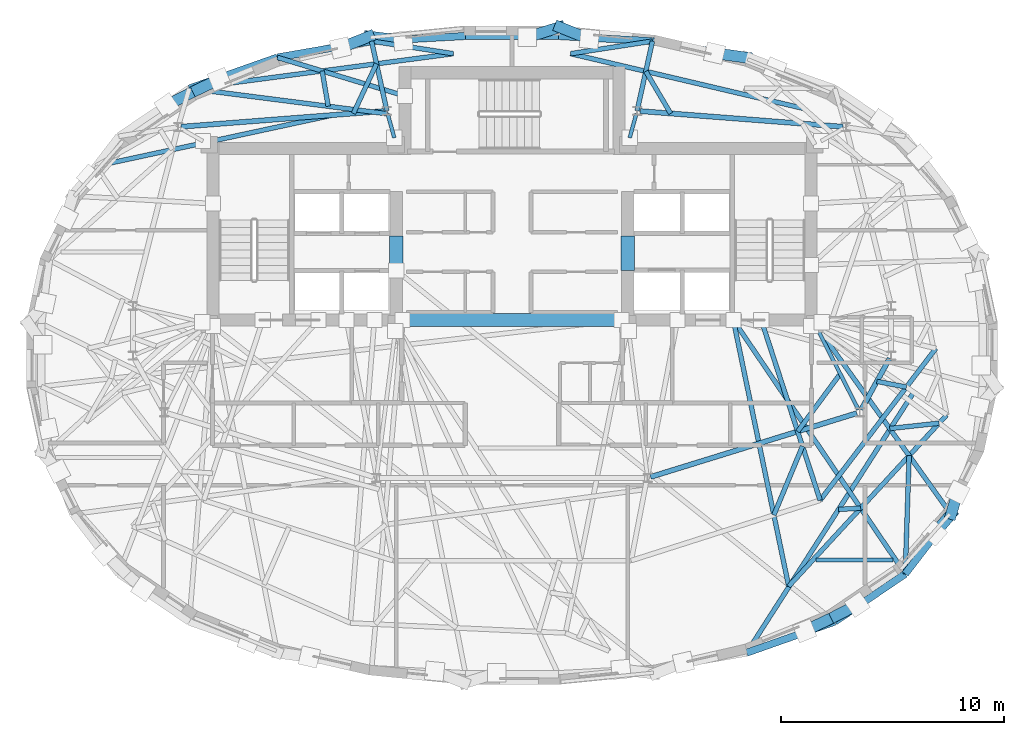
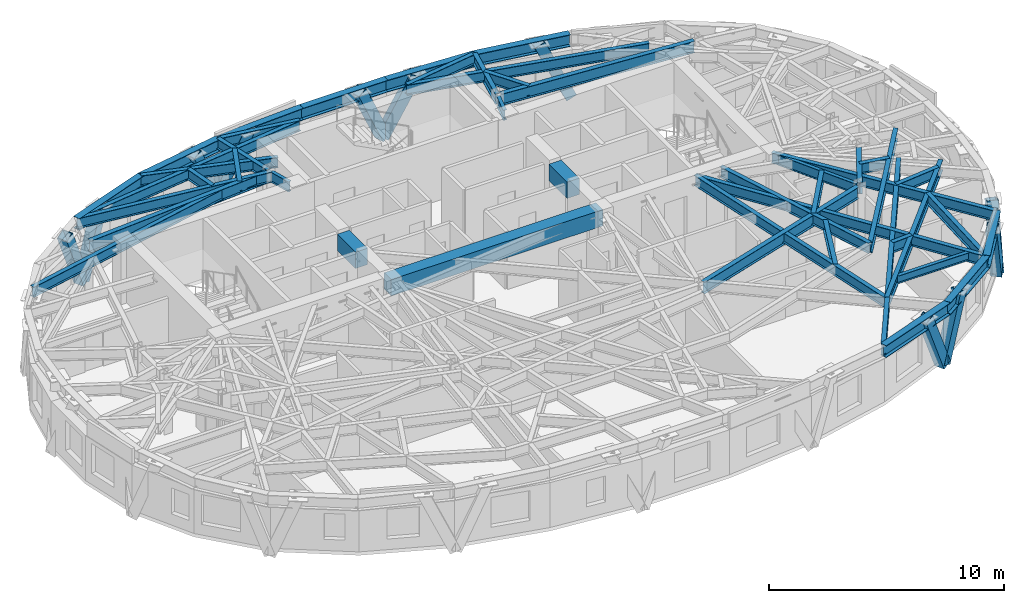
# One storey, part 3 of 13: 45 beams, 11 members.
"""IFC4 building model written with IfcOpenShell, lengths in metres."""

from ifc_helpers import new_model, si_unit, direction, frame, origin, origin_2d, place, context, subcontext, project, spatial, rectangle, hollow_rectangle, i_section, extrude, material, material_profile, profile_set, type_object, element, save


model = new_model("IFC4")

# Units and contexts
model_context = context("Model", 3, precision=1e-05, world=origin(), true_north=direction((0.0, 1.0)))
body_context = subcontext(model_context, "Body", "Model", "MODEL_VIEW")
ifc_project = project(units=[si_unit("LENGTHUNIT", "METRE"), si_unit("AREAUNIT", "SQUARE_METRE"), si_unit("VOLUMEUNIT", "CUBIC_METRE"), si_unit("PLANEANGLEUNIT", "RADIAN"), si_unit("MASSUNIT", "GRAM", prefix="KILO")], contexts=[model_context])

# Site, building, storey
site_placement = place(None, origin())
site = spatial("IfcSite", under=ifc_project, at=site_placement, CompositionType="ELEMENT")
building_placement = place(site_placement, origin())
building = spatial("IfcBuilding", under=site, at=building_placement, Name="Keldmark Tower", CompositionType="ELEMENT")
storey_placement = place(building_placement, frame((0.0, 0.0, 244.64990234375)))
storey = spatial("IfcBuildingStorey", under=building, at=storey_placement, Name="L69", CompositionType="ELEMENT", Elevation=244.64990234375)

# Beams
ifc_material_1 = material(Name="Steel ASTM A992 Grade 50", Category="steel")
ifc_material_profile_1 = material_profile(ifc_material_1, i_section(OverallWidth=0.177978515625, OverallDepth=0.403076171875, WebThickness=0.007568359375, FlangeThickness=0.010986328125, at=origin_2d()), Name="W16X36")
ifc_profile_set_1 = profile_set([ifc_material_profile_1], Name="Steel ASTM A992 Grade 50")
beam_type_1 = type_object("IfcBeamType", Name="Composite Floor Joist W16X36", PredefinedType="JOIST", material=ifc_profile_set_1)
beam_1_placement = place(storey_placement, frame((13.646728515625, -9.199951171875, 2.7685546875), z_axis=(1.0, 0.0, 0.0), x_axis=(0.0, 1.0, 0.0)))
element("IfcBeam", 1, at=beam_1_placement, inside=storey, type_object=beam_type_1, Name="L69 Composite Floor Joist J01", PredefinedType="JOIST", context=body_context, shape_type="SweptSolid", body=[
    extrude(i_section(OverallWidth=0.177978515625, OverallDepth=0.403076171875, WebThickness=0.007568359375, FlangeThickness=0.010986328125, at=origin_2d()), origin(), (0.0, 0.0, 1.0), 3.470703125),
])
ifc_material_2 = material(Name="Concrete C50/60", Category="concrete")
ifc_material_profile_2 = material_profile(ifc_material_2, rectangle(XDim=0.60009765625, YDim=0.85009765625, at=origin_2d()), Name="RCB600X850")
ifc_profile_set_2 = profile_set([ifc_material_profile_2], Name="Concrete C50/60")
beam_type_2 = type_object("IfcBeamType", Name="Core Coupling Beam RCB600X850", PredefinedType="USERDEFINED", material=ifc_profile_set_2)
for number, where, z_axis, x_axis, name in (
    (2, (-5.199951171875, 3.800048828125, 2.545166015625), (0.0, 1.0, 0.0), (-1.0, 0.0, 0.0), "L69 West Core Coupling Beam"),
    (3, (5.199951171875, 3.800048828125, 2.545166015625), (0.0, 1.0, 0.0), (-1.0, 0.0, 0.0), "L69 East Core Coupling Beam"),
):
    element("IfcBeam", number, at=place(storey_placement, frame(where, z_axis=z_axis, x_axis=x_axis)), inside=storey, type_object=beam_type_2, Name=name, ObjectType="COUPLING BEAM", PredefinedType="USERDEFINED", context=body_context, shape_type="SweptSolid", body=[
        extrude(rectangle(XDim=0.60009765625, YDim=0.85009765625, at=origin_2d()), origin(), (0.0, 0.0, 1.0), 1.550048828125),
    ])
beam_2_placement = place(storey_placement, frame((-5.199951171875, 1.574951171875, 2.545166015625), z_axis=(1.0, 0.0, 0.0), x_axis=(0.0, 1.0, 0.0)))
element("IfcBeam", 4, at=beam_2_placement, inside=storey, type_object=beam_type_2, Name="L69 Central South Core Coupling Beam", ObjectType="COUPLING BEAM", PredefinedType="USERDEFINED", context=body_context, shape_type="SweptSolid", body=[
    extrude(rectangle(XDim=0.60009765625, YDim=0.85009765625, at=origin_2d()), origin(), (0.0, 0.0, 1.0), 10.39990234375),
])

# Members
ifc_material_3 = material(Name="Steel ASTM A572 Grade 50", Category="steel")
ifc_material_profile_3 = material_profile(ifc_material_3, hollow_rectangle(XDim=0.5, YDim=0.5, WallThickness=0.030029296875, at=origin_2d()), Name="BOX500X500X30")
ifc_profile_set_3 = profile_set([ifc_material_profile_3], Name="Steel ASTM A572 Grade 50")
member_type = type_object("IfcMemberType", Name="Diagrid Upper Brace BOX500X500X30", PredefinedType="BRACE", material=ifc_profile_set_3)
member_1_placement = place(storey_placement, frame((10.54150390625, 13.356201171875, -0.260009765625), z_axis=(-0.42006443805, 0.058577271442, 0.905601772942), x_axis=(-0.138111914425, -0.990416629048, 0.0)))
element("IfcMember", 5, at=member_1_placement, inside=storey, type_object=member_type, Name="L69 Perimeter Diagrid Brace 03B", PredefinedType="BRACE", context=body_context, shape_type="SweptSolid", body=[
    extrude(hollow_rectangle(XDim=0.5, YDim=0.5, WallThickness=0.030029296875, at=origin_2d()), origin(), (0.0, 0.0, 1.0), 3.434326171875),
])
member_2_placement = place(storey_placement, frame((2.130615234375, 14.7314453125, -0.260009765625), z_axis=(0.391321444426, -0.15640043904, 0.906866268973), x_axis=(0.371128536334, 0.928581503972, 0.0)))
element("IfcMember", 6, at=member_2_placement, inside=storey, type_object=member_type, Name="L69 Perimeter Diagrid Brace 04A", PredefinedType="BRACE", context=body_context, shape_type="SweptSolid", body=[
    extrude(hollow_rectangle(XDim=0.5, YDim=0.5, WallThickness=0.030029296875, at=origin_2d()), origin(), (0.0, 0.0, 1.0), 3.429443359375),
])
member_3_placement = place(storey_placement, frame((2.14208984375, 14.72900390625, -0.260009765625), z_axis=(-0.419804559651, -0.132440021421, 0.897899644962), x_axis=(0.300863147023, -0.953667324995, 0.0)))
element("IfcMember", 7, at=member_3_placement, inside=storey, type_object=member_type, Name="L69 Perimeter Diagrid Brace 04B", PredefinedType="BRACE", context=body_context, shape_type="SweptSolid", body=[
    extrude(hollow_rectangle(XDim=0.5, YDim=0.5, WallThickness=0.030029296875, at=origin_2d()), origin(), (0.0, 0.0, 1.0), 3.4638671875),
])
member_4_placement = place(storey_placement, frame((-6.42041015625, 14.305419921875, -0.260009765625), z_axis=(0.440255197099, -0.054803259594, 0.896198618703), x_axis=(0.123527289199, 0.992341175616, 0.0)))
element("IfcMember", 8, at=member_4_placement, inside=storey, type_object=member_type, Name="L69 Perimeter Diagrid Brace 05A", PredefinedType="BRACE", context=body_context, shape_type="SweptSolid", body=[
    extrude(hollow_rectangle(XDim=0.5, YDim=0.5, WallThickness=0.030029296875, at=origin_2d()), origin(), (0.0, 0.0, 1.0), 3.47021484375),
])
member_5_placement = place(storey_placement, frame((-6.40869140625, 14.3076171875, -0.260009765625), z_axis=(-0.379041415839, -0.150096960054, 0.913125680102), x_axis=(0.368175119927, -0.92975646331, 0.0)))
element("IfcMember", 9, at=member_5_placement, inside=storey, type_object=member_type, Name="L69 Perimeter Diagrid Brace 05B", PredefinedType="BRACE", context=body_context, shape_type="SweptSolid", body=[
    extrude(hollow_rectangle(XDim=0.5, YDim=0.5, WallThickness=0.030029296875, at=origin_2d()), origin(), (0.0, 0.0, 1.0), 3.406005859375),
])
member_6_placement = place(storey_placement, frame((-14.337646484375, 11.817138671875, -0.260009765625), z_axis=(0.35296176253, 0.167918758674, 0.920446242144), x_axis=(-0.429603477502, 0.90301763666, 0.0)))
element("IfcMember", 10, at=member_6_placement, inside=storey, type_object=member_type, Name="L69 Perimeter Diagrid Brace 06A", PredefinedType="BRACE", context=body_context, shape_type="SweptSolid", body=[
    extrude(hollow_rectangle(XDim=0.5, YDim=0.5, WallThickness=0.030029296875, at=origin_2d()), origin(), (0.0, 0.0, 1.0), 3.37890625),
])
member_7_placement = place(storey_placement, frame((-14.327880859375, 11.823486328125, -0.260009765625), z_axis=(-0.349163063981, -0.181149088589, 0.919385752802), x_axis=(0.460520660144, -0.887648985568, 0.0)))
element("IfcMember", 11, at=member_7_placement, inside=storey, type_object=member_type, Name="L69 Perimeter Diagrid Brace 06B", PredefinedType="BRACE", context=body_context, shape_type="SweptSolid", body=[
    extrude(hollow_rectangle(XDim=0.5, YDim=0.5, WallThickness=0.030029296875, at=origin_2d()), origin(), (0.0, 0.0, 1.0), 3.3828125),
])
member_8_placement = place(storey_placement, frame((14.337646484375, -11.817138671875, -0.260009765625), z_axis=(-0.35296176253, -0.167918758674, 0.920446242144), x_axis=(0.429603477502, -0.90301763666, 0.0)))
element("IfcMember", 12, at=member_8_placement, inside=storey, type_object=member_type, Name="L69 Perimeter Diagrid Brace 14A", PredefinedType="BRACE", context=body_context, shape_type="SweptSolid", body=[
    extrude(hollow_rectangle(XDim=0.5, YDim=0.5, WallThickness=0.030029296875, at=origin_2d()), origin(), (0.0, 0.0, 1.0), 3.37890625),
])
member_9_placement = place(storey_placement, frame((14.327880859375, -11.823486328125, -0.260009765625), z_axis=(0.349163063981, 0.181149088589, 0.919385752802), x_axis=(-0.460520660144, 0.887648985568, 0.0)))
element("IfcMember", 13, at=member_9_placement, inside=storey, type_object=member_type, Name="L69 Perimeter Diagrid Brace 14B", PredefinedType="BRACE", context=body_context, shape_type="SweptSolid", body=[
    extrude(hollow_rectangle(XDim=0.5, YDim=0.5, WallThickness=0.030029296875, at=origin_2d()), origin(), (0.0, 0.0, 1.0), 3.3828125),
])
member_10_placement = place(storey_placement, frame((19.728271484375, -7.129150390625, -0.260009765625), z_axis=(-0.225146112073, -0.262780938135, 0.938219274355), x_axis=(0.759391798182, -0.650633611839, 0.0)))
element("IfcMember", 14, at=member_10_placement, inside=storey, type_object=member_type, Name="L69 Perimeter Diagrid Brace 15A", PredefinedType="BRACE", context=body_context, shape_type="SweptSolid", body=[
    extrude(hollow_rectangle(XDim=0.5, YDim=0.5, WallThickness=0.030029296875, at=origin_2d()), origin(), (0.0, 0.0, 1.0), 3.31494140625),
])
member_11_placement = place(storey_placement, frame((19.7216796875, -7.138916015625, -0.260009765625), z_axis=(0.091121113924, 0.298939890116, 0.949911514139), x_axis=(-0.956549539404, 0.291569852121, 0.0)))
element("IfcMember", 15, at=member_11_placement, inside=storey, type_object=member_type, Name="L69 Perimeter Diagrid Brace 15B", PredefinedType="BRACE", context=body_context, shape_type="SweptSolid", body=[
    extrude(hollow_rectangle(XDim=0.5, YDim=0.5, WallThickness=0.030029296875, at=origin_2d()), origin(), (0.0, 0.0, 1.0), 3.274169921875),
])

# Beams
ifc_material_4 = material(Name="Steel ASTM A992 Grade 50", Category="steel")
ifc_material_profile_4 = material_profile(ifc_material_4, i_section(OverallWidth=0.22802734375, OverallDepth=0.60302734375, WebThickness=0.010498046875, FlangeThickness=0.014892578125, at=origin_2d()), Name="W24X68")
ifc_profile_set_4 = profile_set([ifc_material_profile_4], Name="Steel ASTM A992 Grade 50")
beam_type_3 = type_object("IfcBeamType", Name="Primary Floor Girder W24X68", PredefinedType="BEAM", material=ifc_profile_set_4)
for number, where, z_axis, x_axis, name in (
    (16, (14.856201171875, 10.25439453125, 2.668701171875), (-0.997037147832, 0.076921556421, 0.0), (-0.076921556421, -0.997037147832, 0.0), "L69 Floor Ring Girder FG-R02"),
    (17, (-5.75830078125, 10.956298828125, 2.668701171875), (-0.997037147832, -0.076921556421, 0.0), (0.076921556421, -0.997037147832, 0.0), "L69 Floor Ring Girder FG-R04"),
):
    element("IfcBeam", number, at=place(storey_placement, frame(where, z_axis=z_axis, x_axis=x_axis)), inside=storey, type_object=beam_type_3, Name=name, PredefinedType="BEAM", context=body_context, shape_type="SweptSolid", body=[
        extrude(i_section(OverallWidth=0.22802734375, OverallDepth=0.60302734375, WebThickness=0.010498046875, FlangeThickness=0.014892578125, at=origin_2d()), origin(), (0.0, 0.0, 1.0), 9.125),
    ])
beam_3_placement = place(storey_placement, frame((6.223388671875, -5.471435546875, 2.668701171875), z_axis=(0.955383255089, 0.295368982622, 0.0), x_axis=(-0.295368982622, 0.955383255089, 0.0)))
element("IfcBeam", 18, at=beam_3_placement, inside=storey, type_object=beam_type_3, Name="L69 Floor Ring Girder FG-R10", PredefinedType="BEAM", context=body_context, shape_type="SweptSolid", body=[
    extrude(i_section(OverallWidth=0.22802734375, OverallDepth=0.60302734375, WebThickness=0.010498046875, FlangeThickness=0.014892578125, at=origin_2d()), origin(), (0.0, 0.0, 1.0), 9.69140625),
])
beam_4_placement = place(storey_placement, frame((15.68408203125, -2.44482421875, 2.668701171875), z_axis=(0.484719680408, 0.874669555561, 0.0), x_axis=(-0.874669555561, 0.484719680408, 0.0)))
element("IfcBeam", 19, at=beam_4_placement, inside=storey, type_object=beam_type_3, Name="L69 Floor Ring Girder FG-R11", PredefinedType="BEAM", context=body_context, shape_type="SweptSolid", body=[
    extrude(i_section(OverallWidth=0.22802734375, OverallDepth=0.60302734375, WebThickness=0.010498046875, FlangeThickness=0.014892578125, at=origin_2d()), origin(), (0.0, 0.0, 1.0), 2.627685546875),
])
ifc_material_5 = material(Name="Steel ASTM A992 Grade 50", Category="steel")
ifc_material_profile_5 = material_profile(ifc_material_5, i_section(OverallWidth=0.166015625, OverallDepth=0.529052734375, WebThickness=0.009765625, FlangeThickness=0.013671875, at=origin_2d()), Name="W21X50")
ifc_profile_set_5 = profile_set([ifc_material_profile_5], Name="Steel ASTM A992 Grade 50")
beam_type_4 = type_object("IfcBeamType", Name="Radial Tie Girder W21X50", PredefinedType="BEAM", material=ifc_profile_set_5)
for number, where, z_axis, x_axis, name in (
    (20, (5.581298828125, 10.83203125, 2.70556640625), (-0.265936023434, -0.963990680163, 0.0), (0.963990680163, -0.265936023434, 0.0), "L69 Floor Radial Girder FG-C03"),
    (21, (-5.581298828125, 10.83203125, 2.70556640625), (0.265936023434, -0.963990680163, 0.0), (0.963990680163, 0.265936023434, 0.0), "L69 Floor Radial Girder FG-C04"),
):
    element("IfcBeam", number, at=place(storey_placement, frame(where, z_axis=z_axis, x_axis=x_axis)), inside=storey, type_object=beam_type_4, Name=name, PredefinedType="BEAM", context=body_context, shape_type="SweptSolid", body=[
        extrude(i_section(OverallWidth=0.166015625, OverallDepth=0.529052734375, WebThickness=0.009765625, FlangeThickness=0.013671875, at=origin_2d()), origin(), (0.0, 0.0, 1.0), 1.113525390625),
    ])
beam_5_placement = place(storey_placement, frame((15.552734375, -2.442626953125, 2.70556640625), z_axis=(-0.453004410574, 0.89150827478, 0.0), x_axis=(-0.89150827478, -0.453004410574, 0.0)))
element("IfcBeam", 22, at=beam_5_placement, inside=storey, type_object=beam_type_4, Name="L69 Floor Radial Girder FG-C11", PredefinedType="BEAM", context=body_context, shape_type="SweptSolid", body=[
    extrude(i_section(OverallWidth=0.166015625, OverallDepth=0.529052734375, WebThickness=0.009765625, FlangeThickness=0.013671875, at=origin_2d()), origin(), (0.0, 0.0, 1.0), 3.990234375),
])
ifc_material_6 = material(Name="Steel ASTM A992 Grade 50", Category="steel")
ifc_material_profile_6 = material_profile(ifc_material_6, i_section(OverallWidth=0.2099609375, OverallDepth=0.537109375, WebThickness=0.010986328125, FlangeThickness=0.017333984375, at=origin_2d()), Name="W21X68")
ifc_profile_set_6 = profile_set([ifc_material_profile_6], Name="Steel ASTM A992 Grade 50")
beam_type_5 = type_object("IfcBeamType", Name="Radial Tie Girder W21X68", PredefinedType="BEAM", material=ifc_profile_set_6)
beam_6_placement = place(storey_placement, frame((14.7392578125, -0.841796875, 2.70166015625), z_axis=(-0.594045294701, -0.804431593017, 0.0), x_axis=(0.804431593017, -0.594045294701, 0.0)))
element("IfcBeam", 23, at=beam_6_placement, inside=storey, type_object=beam_type_5, Name="L69 Framing Pin Header PH-005", PredefinedType="BEAM", context=body_context, shape_type="SweptSolid", body=[
    extrude(i_section(OverallWidth=0.2099609375, OverallDepth=0.537109375, WebThickness=0.010986328125, FlangeThickness=0.017333984375, at=origin_2d()), origin(), (0.0, 0.0, 1.0), 3.216796875),
])
beam_7_placement = place(storey_placement, frame((11.19287109375, 1.574951171875, 2.70166015625), z_axis=(0.310622790125, -0.950533262046, 0.0), x_axis=(0.950533262046, 0.310622790125, 0.0)))
element("IfcBeam", 24, at=beam_7_placement, inside=storey, type_object=beam_type_5, Name="L69 Sub-Ring Step Girder STP1-M11", PredefinedType="BEAM", context=body_context, shape_type="SweptSolid", body=[
    extrude(i_section(OverallWidth=0.2099609375, OverallDepth=0.537109375, WebThickness=0.010986328125, FlangeThickness=0.017333984375, at=origin_2d()), origin(), (0.0, 0.0, 1.0), 8.51513671875),
])
beam_8_placement = place(storey_placement, frame((13.837890625, -6.51904296875, 2.70166015625), z_axis=(0.606133300073, 0.795363075924, 0.0), x_axis=(-0.795363075924, 0.606133300073, 0.0)))
element("IfcBeam", 25, at=beam_8_placement, inside=storey, type_object=beam_type_5, Name="L69 Perimeter Collector Ring Beam CRG1-M11", PredefinedType="BEAM", context=body_context, shape_type="SweptSolid", body=[
    extrude(i_section(OverallWidth=0.2099609375, OverallDepth=0.537109375, WebThickness=0.010986328125, FlangeThickness=0.017333984375, at=origin_2d()), origin(), (0.0, 0.0, 1.0), 8.5732421875),
])
beam_9_placement = place(storey_placement, frame((13.04443359375, -4.0908203125, 2.70166015625), z_axis=(-0.383729755132, -0.923445436951, 0.0), x_axis=(0.923445436951, -0.383729755132, 0.0)))
element("IfcBeam", 26, at=beam_9_placement, inside=storey, type_object=beam_type_5, Name="L69 Framing Pin Header PH-011", PredefinedType="BEAM", context=body_context, shape_type="SweptSolid", body=[
    extrude(i_section(OverallWidth=0.2099609375, OverallDepth=0.537109375, WebThickness=0.010986328125, FlangeThickness=0.017333984375, at=origin_2d()), origin(), (0.0, 0.0, 1.0), 3.347900390625),
])
beam_10_placement = place(storey_placement, frame((9.939208984375, 1.574951171875, 2.70166015625), z_axis=(0.203534312303, -0.979067813645, 0.0), x_axis=(0.979067813645, 0.203534312303, 0.0)))
element("IfcBeam", 27, at=beam_10_placement, inside=storey, type_object=beam_type_5, Name="L69 Sub-Ring Step Girder STP2-M11", PredefinedType="BEAM", context=body_context, shape_type="SweptSolid", body=[
    extrude(i_section(OverallWidth=0.2099609375, OverallDepth=0.537109375, WebThickness=0.010986328125, FlangeThickness=0.017333984375, at=origin_2d()), origin(), (0.0, 0.0, 1.0), 12.212158203125),
])
beam_11_placement = place(storey_placement, frame((16.384521484375, -1.180908203125, 2.70166015625), z_axis=(0.981899295891, -0.189403729448, 0.0), x_axis=(0.189403729448, 0.981899295891, 0.0)))
element("IfcBeam", 28, at=beam_11_placement, inside=storey, type_object=beam_type_5, Name="L69 Framing Pin Header PH-012", PredefinedType="BEAM", context=body_context, shape_type="SweptSolid", body=[
    extrude(i_section(OverallWidth=0.2099609375, OverallDepth=0.537109375, WebThickness=0.010986328125, FlangeThickness=0.017333984375, at=origin_2d()), origin(), (0.0, 0.0, 1.0), 1.350830078125),
])
beam_12_placement = place(storey_placement, frame((12.4248046875, -10.381591796875, 2.70166015625), z_axis=(0.677923561603, 0.735132399384, 0.0), x_axis=(-0.735132399384, 0.677923561603, 0.0)))
element("IfcBeam", 29, at=beam_12_placement, inside=storey, type_object=beam_type_5, Name="L69 Perimeter Collector Ring Beam CRG2-M11", PredefinedType="BEAM", context=body_context, shape_type="SweptSolid", body=[
    extrude(i_section(OverallWidth=0.2099609375, OverallDepth=0.537109375, WebThickness=0.010986328125, FlangeThickness=0.017333984375, at=origin_2d()), origin(), (0.0, 0.0, 1.0), 10.46826171875),
])
for number, where, z_axis, x_axis, name in (
    (30, (5.61865234375, 10.967041015625, 2.70166015625), (0.214728095069, 0.976673868386, 0.0), (-0.976673868386, 0.214728095069, 0.0), "L69 Perimeter Column Bracket RT-07"),
    (31, (-5.61865234375, 10.967041015625, 2.70166015625), (-0.214728095069, 0.976673868386, 0.0), (-0.976673868386, -0.214728095069, 0.0), "L69 Perimeter Column Bracket RT-10"),
):
    element("IfcBeam", number, at=place(storey_placement, frame(where, z_axis=z_axis, x_axis=x_axis)), inside=storey, type_object=beam_type_5, Name=name, PredefinedType="BEAM", context=body_context, shape_type="SweptSolid", body=[
        extrude(i_section(OverallWidth=0.2099609375, OverallDepth=0.537109375, WebThickness=0.010986328125, FlangeThickness=0.017333984375, at=origin_2d()), origin(), (0.0, 0.0, 1.0), 3.205078125),
    ])
beam_13_placement = place(storey_placement, frame((-8.03271484375, 10.781005859375, 2.70166015625), z_axis=(-0.977560138074, -0.210656536686, 0.0), x_axis=(0.210656536686, -0.977560138074, 0.0)))
element("IfcBeam", 32, at=beam_13_placement, inside=storey, type_object=beam_type_5, Name="L69 Intermediate Radial Step Girder RT-14M", PredefinedType="BEAM", context=body_context, shape_type="SweptSolid", body=[
    extrude(i_section(OverallWidth=0.2099609375, OverallDepth=0.537109375, WebThickness=0.010986328125, FlangeThickness=0.017333984375, at=origin_2d()), origin(), (0.0, 0.0, 1.0), 10.897705078125),
])
beam_14_placement = place(storey_placement, frame((18.041015625, -1.66455078125, 2.70166015625), z_axis=(-0.539795051401, -0.841796473313, 0.0), x_axis=(0.841796473313, -0.539795051401, 0.0)))
element("IfcBeam", 33, at=beam_14_placement, inside=storey, type_object=beam_type_5, Name="L69 Perimeter Radial Tie Girder RT-27", PredefinedType="BEAM", context=body_context, shape_type="SweptSolid", body=[
    extrude(i_section(OverallWidth=0.2099609375, OverallDepth=0.537109375, WebThickness=0.010986328125, FlangeThickness=0.017333984375, at=origin_2d()), origin(), (0.0, 0.0, 1.0), 13.9013671875),
])
beam_15_placement = place(storey_placement, frame((14.664306640625, -6.930419921875, 2.70166015625), z_axis=(0.998384064796, 0.056826570911, 0.0), x_axis=(-0.056826570911, 0.998384064796, 0.0)))
element("IfcBeam", 34, at=beam_15_placement, inside=storey, type_object=beam_type_5, Name="L69 Framing Pin Header PH-032", PredefinedType="BEAM", context=body_context, shape_type="SweptSolid", body=[
    extrude(i_section(OverallWidth=0.2099609375, OverallDepth=0.537109375, WebThickness=0.010986328125, FlangeThickness=0.017333984375, at=origin_2d()), origin(), (0.0, 0.0, 1.0), 0.996826171875),
])
beam_16_placement = place(storey_placement, frame((9.939208984375, 1.574951171875, 2.70166015625), z_axis=(0.560639931826, -0.828059700047, 0.0), x_axis=(0.828059700047, 0.560639931826, 0.0)))
element("IfcBeam", 35, at=beam_16_placement, inside=storey, type_object=beam_type_5, Name="L69 Perimeter Radial Tie Girder RT-29", PredefinedType="BEAM", context=body_context, shape_type="SweptSolid", body=[
    extrude(i_section(OverallWidth=0.2099609375, OverallDepth=0.537109375, WebThickness=0.010986328125, FlangeThickness=0.017333984375, at=origin_2d()), origin(), (0.0, 0.0, 1.0), 13.76806640625),
])
beam_17_placement = place(storey_placement, frame((17.658203125, -9.825927734375, 2.70166015625), z_axis=(0.032952159787, 0.99945693012, 0.0), x_axis=(-0.99945693012, 0.032952159787, 0.0)))
element("IfcBeam", 36, at=beam_17_placement, inside=storey, type_object=beam_type_5, Name="L69 Framing Pin Header PH-033", PredefinedType="BEAM", context=body_context, shape_type="SweptSolid", body=[
    extrude(i_section(OverallWidth=0.2099609375, OverallDepth=0.537109375, WebThickness=0.010986328125, FlangeThickness=0.017333984375, at=origin_2d()), origin(), (0.0, 0.0, 1.0), 5.312255859375),
])
beam_18_placement = place(storey_placement, frame((13.60009765625, 1.39990234375, 2.70166015625), z_axis=(0.581890855493, -0.813266888724, 0.0), x_axis=(0.813266888724, 0.581890855493, 0.0)))
element("IfcBeam", 37, at=beam_18_placement, inside=storey, type_object=beam_type_5, Name="L69 Perimeter Radial Tie Girder RT-30", PredefinedType="BEAM", context=body_context, shape_type="SweptSolid", body=[
    extrude(i_section(OverallWidth=0.2099609375, OverallDepth=0.537109375, WebThickness=0.010986328125, FlangeThickness=0.017333984375, at=origin_2d()), origin(), (0.0, 0.0, 1.0), 10.50634765625),
])
beam_19_placement = place(storey_placement, frame((16.96240234375, -3.299560546875, 2.70166015625), z_axis=(0.994041527953, 0.109002021561, 0.0), x_axis=(-0.109002021561, 0.994041527953, 0.0)))
element("IfcBeam", 38, at=beam_19_placement, inside=storey, type_object=beam_type_5, Name="L69 Framing Pin Header PH-034", PredefinedType="BEAM", context=body_context, shape_type="SweptSolid", body=[
    extrude(i_section(OverallWidth=0.2099609375, OverallDepth=0.537109375, WebThickness=0.010986328125, FlangeThickness=0.017333984375, at=origin_2d()), origin(), (0.0, 0.0, 1.0), 2.230712890625),
])
beam_20_placement = place(storey_placement, frame((7.122802734375, 10.85107421875, 2.70166015625), z_axis=(-0.507754252442, 0.861501955382, 0.0), x_axis=(-0.861501955382, -0.507754252442, 0.0)))
element("IfcBeam", 39, at=beam_20_placement, inside=storey, type_object=beam_type_5, Name="L69 Framing Pin Header PH-036", PredefinedType="BEAM", context=body_context, shape_type="SweptSolid", body=[
    extrude(i_section(OverallWidth=0.2099609375, OverallDepth=0.537109375, WebThickness=0.010986328125, FlangeThickness=0.017333984375, at=origin_2d()), origin(), (0.0, 0.0, 1.0), 2.194091796875),
])
beam_21_placement = place(storey_placement, frame((13.12060546875, 11.068603515625, 2.70166015625), z_axis=(-0.973437073601, 0.228954719846, 0.0), x_axis=(-0.228954719846, -0.973437073601, 0.0)))
element("IfcBeam", 40, at=beam_21_placement, inside=storey, type_object=beam_type_5, Name="L69 Crown Step Radial Girder RT-08RN2", PredefinedType="BEAM", context=body_context, shape_type="SweptSolid", body=[
    extrude(i_section(OverallWidth=0.2099609375, OverallDepth=0.537109375, WebThickness=0.010986328125, FlangeThickness=0.017333984375, at=origin_2d()), origin(), (0.0, 0.0, 1.0), 10.775146484375),
])
beam_22_placement = place(storey_placement, frame((2.631591796875, 13.53564453125, 2.70166015625), z_axis=(0.988519259968, 0.151094912793, 0.0), x_axis=(-0.151094912793, 0.988519259968, 0.0)))
element("IfcBeam", 41, at=beam_22_placement, inside=storey, type_object=beam_type_5, Name="L69 Crown Step Collector Chord RT-08RP2", PredefinedType="BEAM", context=body_context, shape_type="SweptSolid", body=[
    extrude(i_section(OverallWidth=0.2099609375, OverallDepth=0.537109375, WebThickness=0.010986328125, FlangeThickness=0.017333984375, at=origin_2d()), origin(), (0.0, 0.0, 1.0), 3.718017578125),
])
beam_23_placement = place(storey_placement, frame((-7.122802734375, 10.85107421875, 2.70166015625), z_axis=(0.422472517421, 0.906375734463, 0.0), x_axis=(-0.906375734463, 0.422472517421, 0.0)))
element("IfcBeam", 42, at=beam_23_placement, inside=storey, type_object=beam_type_5, Name="L69 Framing Pin Header PH-037", PredefinedType="BEAM", context=body_context, shape_type="SweptSolid", body=[
    extrude(i_section(OverallWidth=0.2099609375, OverallDepth=0.537109375, WebThickness=0.010986328125, FlangeThickness=0.017333984375, at=origin_2d()), origin(), (0.0, 0.0, 1.0), 2.4599609375),
])
beam_24_placement = place(storey_placement, frame((-14.49169921875, 11.972900390625, 2.70166015625), z_axis=(0.991430452739, 0.130635590028, 0.0), x_axis=(-0.130635590028, 0.991430452739, 0.0)))
element("IfcBeam", 43, at=beam_24_placement, inside=storey, type_object=beam_type_5, Name="L69 Crown Step Radial Girder RT-09RN1", PredefinedType="BEAM", context=body_context, shape_type="SweptSolid", body=[
    extrude(i_section(OverallWidth=0.2099609375, OverallDepth=0.537109375, WebThickness=0.010986328125, FlangeThickness=0.017333984375, at=origin_2d()), origin(), (0.0, 0.0, 1.0), 11.962646484375),
])
beam_25_placement = place(storey_placement, frame((-2.631591796875, 13.53564453125, 2.70166015625), z_axis=(-0.988519259968, 0.151094912793, 0.0), x_axis=(-0.151094912793, -0.988519259968, 0.0)))
element("IfcBeam", 44, at=beam_25_placement, inside=storey, type_object=beam_type_5, Name="L69 Crown Step Collector Chord RT-09RP1", PredefinedType="BEAM", context=body_context, shape_type="SweptSolid", body=[
    extrude(i_section(OverallWidth=0.2099609375, OverallDepth=0.537109375, WebThickness=0.010986328125, FlangeThickness=0.017333984375, at=origin_2d()), origin(), (0.0, 0.0, 1.0), 3.718017578125),
])
beam_26_placement = place(storey_placement, frame((-5.581298828125, 10.83203125, 2.70166015625), z_axis=(-0.991902570669, 0.127001142909, 0.0), x_axis=(-0.127001142909, -0.991902570669, 0.0)))
element("IfcBeam", 45, at=beam_26_placement, inside=storey, type_object=beam_type_5, Name="L69 Straddling Support Chord RT-11RB", PredefinedType="BEAM", context=body_context, shape_type="SweptSolid", body=[
    extrude(i_section(OverallWidth=0.2099609375, OverallDepth=0.537109375, WebThickness=0.010986328125, FlangeThickness=0.017333984375, at=origin_2d()), origin(), (0.0, 0.0, 1.0), 8.983154296875),
])
beam_27_placement = place(storey_placement, frame((-8.25439453125, 11.17431640625, 2.70166015625), z_axis=(-0.168854233518, 0.985641033959, 0.0), x_axis=(-0.985641033959, -0.168854233518, 0.0)))
element("IfcBeam", 46, at=beam_27_placement, inside=storey, type_object=beam_type_5, Name="L69 Framing Pin Header PH-038", PredefinedType="BEAM", context=body_context, shape_type="SweptSolid", body=[
    extrude(i_section(OverallWidth=0.2099609375, OverallDepth=0.537109375, WebThickness=0.010986328125, FlangeThickness=0.017333984375, at=origin_2d()), origin(), (0.0, 0.0, 1.0), 1.60791015625),
])
beam_28_placement = place(storey_placement, frame((-4.800048828125, 11.63330078125, 2.70166015625), z_axis=(-0.957260486755, 0.289227178006, 0.0), x_axis=(-0.289227178006, -0.957260486755, 0.0)))
element("IfcBeam", 47, at=beam_28_placement, inside=storey, type_object=beam_type_5, Name="L69 Perimeter Radial Tie Girder RT-11R", PredefinedType="BEAM", context=body_context, shape_type="SweptSolid", body=[
    extrude(i_section(OverallWidth=0.2099609375, OverallDepth=0.537109375, WebThickness=0.010986328125, FlangeThickness=0.017333984375, at=origin_2d()), origin(), (0.0, 0.0, 1.0), 5.9931640625),
])
ifc_material_7 = material(Name="Steel ASTM A992 Grade 50", Category="steel")
ifc_material_profile_7 = material_profile(ifc_material_7, i_section(OverallWidth=0.326904296875, OverallDepth=0.6220703125, WebThickness=0.015380859375, FlangeThickness=0.0244140625, at=origin_2d()), Name="W24X131")
ifc_profile_set_7 = profile_set([ifc_material_profile_7], Name="Steel ASTM A992 Grade 50")
beam_type_6 = type_object("IfcBeamType", Name="Spandrel Ring Beam W24X131", PredefinedType="SPANDREL", material=ifc_profile_set_7)
beam_29_placement = place(storey_placement, frame((10.537109375, 13.36669921875, 2.6591796875), z_axis=(-0.985406873854, 0.170215431029, 0.0), x_axis=(-0.170215431029, -0.985406873854, 0.0)))
element("IfcBeam", 48, at=beam_29_placement, inside=storey, type_object=beam_type_6, Name="L69 Perimeter Spandrel Ring Beam SRB-06", PredefinedType="SPANDREL", context=body_context, shape_type="SweptSolid", body=[
    extrude(i_section(OverallWidth=0.326904296875, OverallDepth=0.6220703125, WebThickness=0.015380859375, FlangeThickness=0.0244140625, at=origin_2d()), origin(), (0.0, 0.0, 1.0), 4.29296875),
])
beam_30_placement = place(storey_placement, frame((6.306884765625, 14.097412109375, 2.6591796875), z_axis=(-0.998487393463, 0.05498113399, 0.0), x_axis=(-0.05498113399, -0.998487393463, 0.0)))
element("IfcBeam", 49, at=beam_30_placement, inside=storey, type_object=beam_type_6, Name="L69 Perimeter Spandrel Ring Beam SRB-07", PredefinedType="SPANDREL", context=body_context, shape_type="SweptSolid", body=[
    extrude(i_section(OverallWidth=0.326904296875, OverallDepth=0.6220703125, WebThickness=0.015380859375, FlangeThickness=0.0244140625, at=origin_2d()), origin(), (0.0, 0.0, 1.0), 4.231689453125),
])
beam_31_placement = place(storey_placement, frame((2.08154296875, 14.330078125, 2.6591796875), z_axis=(-1.0, 0.0, 0.0), x_axis=(0.0, -1.0, 0.0)))
element("IfcBeam", 50, at=beam_31_placement, inside=storey, type_object=beam_type_6, Name="L69 Perimeter Spandrel Ring Beam SRB-08", PredefinedType="SPANDREL", context=body_context, shape_type="SweptSolid", body=[
    extrude(i_section(OverallWidth=0.326904296875, OverallDepth=0.6220703125, WebThickness=0.015380859375, FlangeThickness=0.0244140625, at=origin_2d()), origin(), (0.0, 0.0, 1.0), 4.1630859375),
])
beam_32_placement = place(storey_placement, frame((-2.08154296875, 14.330078125, 2.6591796875), z_axis=(-0.998487393463, -0.05498113399, 0.0), x_axis=(0.05498113399, -0.998487393463, 0.0)))
element("IfcBeam", 51, at=beam_32_placement, inside=storey, type_object=beam_type_6, Name="L69 Perimeter Spandrel Ring Beam SRB-09", PredefinedType="SPANDREL", context=body_context, shape_type="SweptSolid", body=[
    extrude(i_section(OverallWidth=0.326904296875, OverallDepth=0.6220703125, WebThickness=0.015380859375, FlangeThickness=0.0244140625, at=origin_2d()), origin(), (0.0, 0.0, 1.0), 4.231689453125),
])
beam_33_placement = place(storey_placement, frame((-6.306884765625, 14.097412109375, 2.6591796875), z_axis=(-0.985406873854, -0.170215431029, 0.0), x_axis=(0.170215431029, -0.985406873854, 0.0)))
element("IfcBeam", 52, at=beam_33_placement, inside=storey, type_object=beam_type_6, Name="L69 Perimeter Spandrel Ring Beam SRB-10", PredefinedType="SPANDREL", context=body_context, shape_type="SweptSolid", body=[
    extrude(i_section(OverallWidth=0.326904296875, OverallDepth=0.6220703125, WebThickness=0.015380859375, FlangeThickness=0.0244140625, at=origin_2d()), origin(), (0.0, 0.0, 1.0), 4.29296875),
])
for number, where, z_axis, x_axis, name in (
    (53, (-10.537109375, 13.36669921875, 2.6591796875), (-0.943135359609, -0.332408925053, 0.0), (0.332408925053, -0.943135359609, 0.0), "L69 Perimeter Spandrel Ring Beam SRB-11"),
    (54, (10.537109375, -13.36669921875, 2.6591796875), (0.943135359609, 0.332408925053, 0.0), (-0.332408925053, 0.943135359609, 0.0), "L69 Perimeter Spandrel Ring Beam SRB-27"),
):
    element("IfcBeam", number, at=place(storey_placement, frame(where, z_axis=z_axis, x_axis=x_axis)), inside=storey, type_object=beam_type_6, Name=name, PredefinedType="SPANDREL", context=body_context, shape_type="SweptSolid", body=[
        extrude(i_section(OverallWidth=0.326904296875, OverallDepth=0.6220703125, WebThickness=0.015380859375, FlangeThickness=0.0244140625, at=origin_2d()), origin(), (0.0, 0.0, 1.0), 4.193115234375),
    ])
beam_34_placement = place(storey_placement, frame((14.49169921875, -11.972900390625, 2.6591796875), z_axis=(0.827685387822, 0.56119239017, 0.0), x_axis=(-0.56119239017, 0.827685387822, 0.0)))
element("IfcBeam", 55, at=beam_34_placement, inside=storey, type_object=beam_type_6, Name="L69 Perimeter Spandrel Ring Beam SRB-28", PredefinedType="SPANDREL", context=body_context, shape_type="SweptSolid", body=[
    extrude(i_section(OverallWidth=0.326904296875, OverallDepth=0.6220703125, WebThickness=0.015380859375, FlangeThickness=0.0244140625, at=origin_2d()), origin(), (0.0, 0.0, 1.0), 3.82568359375),
])
beam_35_placement = place(storey_placement, frame((17.658203125, -9.825927734375, 2.6591796875), z_axis=(0.608372377274, 0.793651718684, 0.0), x_axis=(-0.793651718684, 0.608372377274, 0.0)))
element("IfcBeam", 56, at=beam_35_placement, inside=storey, type_object=beam_type_6, Name="L69 Perimeter Spandrel Ring Beam SRB-29", PredefinedType="SPANDREL", context=body_context, shape_type="SweptSolid", body=[
    extrude(i_section(OverallWidth=0.326904296875, OverallDepth=0.6220703125, WebThickness=0.015380859375, FlangeThickness=0.0244140625, at=origin_2d()), origin(), (0.0, 0.0, 1.0), 3.378662109375),
])

save(model, "model.ifc")
